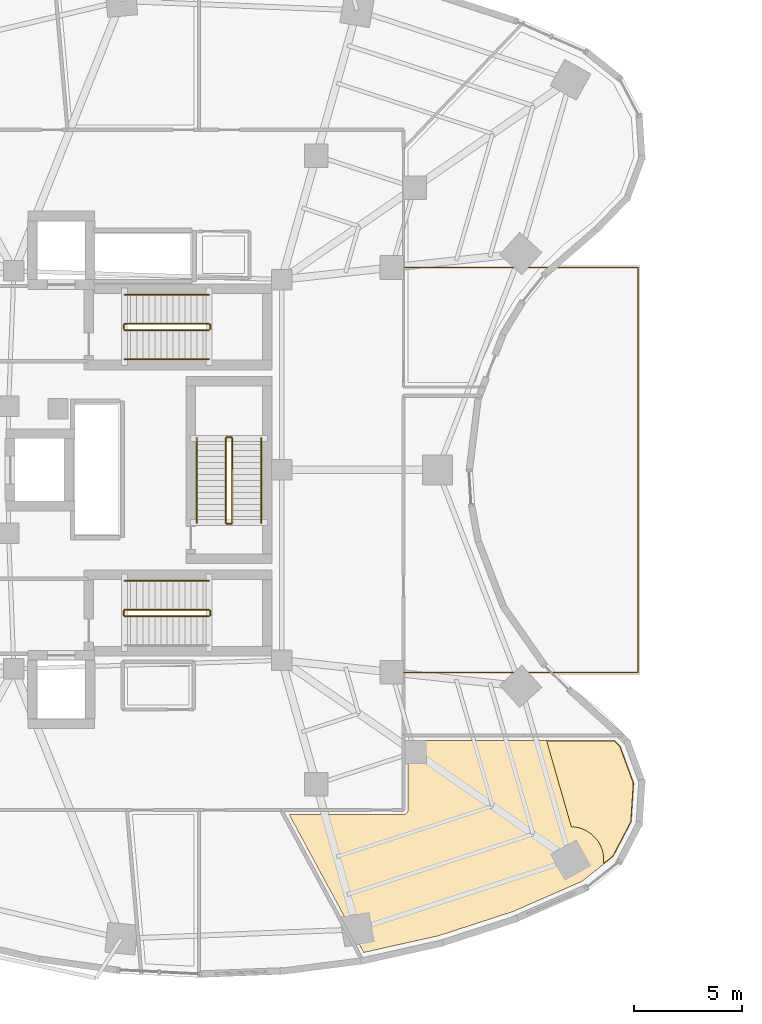
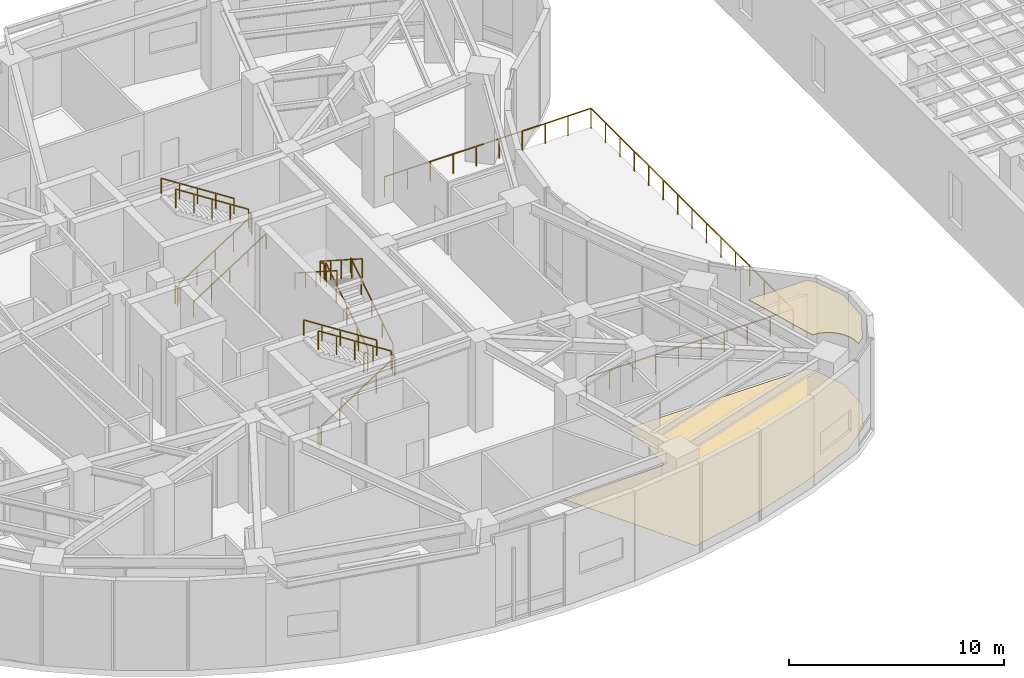
# One storey, part 18 of 19: 18 railings, 2 coverings.
"""IFC4 building model written with IfcOpenShell, lengths in metres."""

from ifc_helpers import new_model, si_unit, direction, frame, origin, origin_2d, place, context, subcontext, project, spatial, polyline, rectangle, outline, extrude, material, layer, layer_set, type_object, element, save


model = new_model("IFC4")

# Units and contexts
model_context = context("Model", 3, precision=1e-05, world=origin(), true_north=direction((0.0, 1.0)))
body_context = subcontext(model_context, "Body", "Model", "MODEL_VIEW")
ifc_project = project(units=[si_unit("LENGTHUNIT", "METRE"), si_unit("AREAUNIT", "SQUARE_METRE"), si_unit("VOLUMEUNIT", "CUBIC_METRE"), si_unit("PLANEANGLEUNIT", "RADIAN"), si_unit("MASSUNIT", "GRAM", prefix="KILO")], contexts=[model_context])

# Site, building, storey
site_placement = place(None, origin())
site = spatial("IfcSite", under=ifc_project, at=site_placement, CompositionType="ELEMENT")
building_placement = place(site_placement, origin())
building = spatial("IfcBuilding", under=site, at=building_placement, Name="Korentha Bioscience Tower", CompositionType="ELEMENT")
storey_placement = place(building_placement, frame((0.0, 0.0, 20.39990234375)))
storey = spatial("IfcBuildingStorey", under=building, at=storey_placement, Name="L04", CompositionType="ELEMENT", Elevation=20.39990234375)

# Railings
ifc_material_1 = material(Name="Stainless Steel 304", Category="steel")
railing_type_1 = type_object("IfcRailingType", Name="Brushed Stainless Stair Handrail 900", PredefinedType="HANDRAIL", material=ifc_material_1)
railing_1_placement = place(storey_placement, frame((30.25, 32.14990234375, 0.18017578125)))
element("IfcRailing", 1, at=railing_1_placement, inside=storey, type_object=railing_type_1, Name="L04 ST-1 stair handrail 1", PredefinedType="HANDRAIL", context=body_context, shape_type="SweptSolid", body=[
    extrude(rectangle(XDim=0.048095703125, YDim=0.048095703125, at=origin_2d()), frame((0.0, 0.0, 0.8759765625), z_axis=(0.841171666519, 0.0, 0.540768182723), x_axis=(0.0, 1.0, 0.0)), (0.0, 0.0, 1.0), 4.66015625),
    extrude(rectangle(XDim=0.0419921875, YDim=0.0419921875, at=origin_2d()), origin(), (0.0, 0.0, 1.0), 0.851806640625),
    extrude(rectangle(XDim=0.0419921875, YDim=0.0419921875, at=origin_2d()), frame((0.97998046875, 0.0, 0.6298828125)), (0.0, 0.0, 1.0), 0.851806640625),
    extrude(rectangle(XDim=0.0419921875, YDim=0.0419921875, at=origin_2d()), frame((1.9599609375, 0.0, 1.260009765625)), (0.0, 0.0, 1.0), 0.851806640625),
    extrude(rectangle(XDim=0.0419921875, YDim=0.0419921875, at=origin_2d()), frame((2.93994140625, 0.0, 1.89013671875)), (0.0, 0.0, 1.0), 0.851806640625),
    extrude(rectangle(XDim=0.0419921875, YDim=0.0419921875, at=origin_2d()), frame((3.919921875, 0.0, 2.52001953125)), (0.0, 0.0, 1.0), 0.851806640625),
])
for number, where, name in (
    (2, (34.169921875, 35.14990234375, 2.880126953125), "L04 ST-1 stair handrail 2"),
    (3, (34.169921875, 21.85009765625, 2.880126953125), "L04 ST-2 stair handrail 2"),
):
    element("IfcRailing", number, at=place(storey_placement, frame(where)), inside=storey, type_object=railing_type_1, Name=name, PredefinedType="HANDRAIL", context=body_context, shape_type="SweptSolid", body=[
        extrude(rectangle(XDim=0.048095703125, YDim=0.048095703125, at=origin_2d()), frame((0.0, 0.0, 0.8759765625), z_axis=(-0.841171666519, 0.0, 0.540768182723), x_axis=(0.0, -1.0, 0.0)), (0.0, 0.0, 1.0), 4.66015625),
        extrude(rectangle(XDim=0.0419921875, YDim=0.0419921875, at=origin_2d()), origin(), (0.0, 0.0, 1.0), 0.851806640625),
        extrude(rectangle(XDim=0.0419921875, YDim=0.0419921875, at=origin_2d()), frame((-0.97998046875, 0.0, 0.6298828125)), (0.0, 0.0, 1.0), 0.851806640625),
        extrude(rectangle(XDim=0.0419921875, YDim=0.0419921875, at=origin_2d()), frame((-1.9599609375, 0.0, 1.260009765625)), (0.0, 0.0, 1.0), 0.851806640625),
        extrude(rectangle(XDim=0.0419921875, YDim=0.0419921875, at=origin_2d()), frame((-2.93994140625, 0.0, 1.89013671875)), (0.0, 0.0, 1.0), 0.851806640625),
        extrude(rectangle(XDim=0.0419921875, YDim=0.0419921875, at=origin_2d()), frame((-3.919921875, 0.0, 2.52001953125)), (0.0, 0.0, 1.0), 0.851806640625),
    ])
railing_2_placement = place(storey_placement, frame((36.60009765625, 24.550048828125, 0.18017578125)))
element("IfcRailing", 4, at=railing_2_placement, inside=storey, type_object=railing_type_1, Name="L04 ST-3 stair handrail 1", PredefinedType="HANDRAIL", context=body_context, shape_type="SweptSolid", body=[
    extrude(rectangle(XDim=0.048095703125, YDim=0.048095703125, at=origin_2d()), frame((0.0, 0.0, 0.8759765625), z_axis=(0.0, 0.841171666519, 0.540768182723), x_axis=(-1.0, 0.0, 0.0)), (0.0, 0.0, 1.0), 4.66015625),
    extrude(rectangle(XDim=0.0419921875, YDim=0.0419921875, at=origin_2d()), origin(), (0.0, 0.0, 1.0), 0.851806640625),
    extrude(rectangle(XDim=0.0419921875, YDim=0.0419921875, at=origin_2d()), frame((0.0, 0.97998046875, 0.6298828125)), (0.0, 0.0, 1.0), 0.851806640625),
    extrude(rectangle(XDim=0.0419921875, YDim=0.0419921875, at=origin_2d()), frame((0.0, 1.9599609375, 1.260009765625)), (0.0, 0.0, 1.0), 0.851806640625),
    extrude(rectangle(XDim=0.0419921875, YDim=0.0419921875, at=origin_2d()), frame((0.0, 2.93994140625, 1.89013671875)), (0.0, 0.0, 1.0), 0.851806640625),
    extrude(rectangle(XDim=0.0419921875, YDim=0.0419921875, at=origin_2d()), frame((0.0, 3.919921875, 2.52001953125)), (0.0, 0.0, 1.0), 0.851806640625),
])
railing_3_placement = place(storey_placement, frame((33.60009765625, 28.469970703125, 2.880126953125)))
element("IfcRailing", 5, at=railing_3_placement, inside=storey, type_object=railing_type_1, Name="L04 ST-3 stair handrail 2", PredefinedType="HANDRAIL", context=body_context, shape_type="SweptSolid", body=[
    extrude(rectangle(XDim=0.048095703125, YDim=0.048095703125, at=origin_2d()), frame((0.0, 0.0, 0.8759765625), z_axis=(0.0, -0.841171666519, 0.540768182723), x_axis=(1.0, 0.0, 0.0)), (0.0, 0.0, 1.0), 4.66015625),
    extrude(rectangle(XDim=0.0419921875, YDim=0.0419921875, at=origin_2d()), origin(), (0.0, 0.0, 1.0), 0.851806640625),
    extrude(rectangle(XDim=0.0419921875, YDim=0.0419921875, at=origin_2d()), frame((0.0, -0.97998046875, 0.6298828125)), (0.0, 0.0, 1.0), 0.851806640625),
    extrude(rectangle(XDim=0.0419921875, YDim=0.0419921875, at=origin_2d()), frame((0.0, -1.9599609375, 1.260009765625)), (0.0, 0.0, 1.0), 0.851806640625),
    extrude(rectangle(XDim=0.0419921875, YDim=0.0419921875, at=origin_2d()), frame((0.0, -2.93994140625, 1.89013671875)), (0.0, 0.0, 1.0), 0.851806640625),
    extrude(rectangle(XDim=0.0419921875, YDim=0.0419921875, at=origin_2d()), frame((0.0, -3.919921875, 2.52001953125)), (0.0, 0.0, 1.0), 0.851806640625),
])
ifc_material_2 = material(Name="Laminated Tempered Safety Glass", Category="glass")
railing_type_2 = type_object("IfcRailingType", Name="Laminated Glass Balcony Guardrail 1150", PredefinedType="BALUSTRADE", material=ifc_material_2)
railing_4_placement = place(storey_placement, frame((43.0, 17.580078125, 0.0)))
element("IfcRailing", 6, at=railing_4_placement, inside=storey, type_object=railing_type_2, Name="L04 Courtyard Terrace Perimeter Guardrail", PredefinedType="BALUSTRADE", context=body_context, shape_type="SweptSolid", body=[
    extrude(rectangle(XDim=0.048095703125, YDim=0.048095703125, at=origin_2d()), frame((0.0, 0.0, 1.1259765625), z_axis=(1.0, 0.0, 0.0), x_axis=(0.0, 1.0, 0.0)), (0.0, 0.0, 1.0), 11.1201171875),
    extrude(rectangle(XDim=0.048095703125, YDim=0.048095703125, at=origin_2d()), frame((11.1201171875, 0.0, 1.1259765625), z_axis=(0.0, 1.0, 0.0), x_axis=(-1.0, 0.0, 0.0)), (0.0, 0.0, 1.0), 18.83984375),
    extrude(rectangle(XDim=0.048095703125, YDim=0.048095703125, at=origin_2d()), frame((11.1201171875, 18.83984375, 1.1259765625), z_axis=(-1.0, 0.0, 0.0), x_axis=(0.0, -1.0, 0.0)), (0.0, 0.0, 1.0), 11.1201171875),
    extrude(rectangle(XDim=0.0419921875, YDim=0.0419921875, at=origin_2d()), origin(), (0.0, 0.0, 1.0), 1.101806640625),
    extrude(rectangle(XDim=0.0419921875, YDim=0.0419921875, at=origin_2d()), frame((1.235595703125, 0.0, 0.0)), (0.0, 0.0, 1.0), 1.101806640625),
    extrude(rectangle(XDim=0.0419921875, YDim=0.0419921875, at=origin_2d()), frame((2.47119140625, 0.0, 0.0)), (0.0, 0.0, 1.0), 1.101806640625),
    extrude(rectangle(XDim=0.0419921875, YDim=0.0419921875, at=origin_2d()), frame((3.706787109375, 0.0, 0.0)), (0.0, 0.0, 1.0), 1.101806640625),
    extrude(rectangle(XDim=0.0419921875, YDim=0.0419921875, at=origin_2d()), frame((4.9423828125, 0.0, 0.0)), (0.0, 0.0, 1.0), 1.101806640625),
    extrude(rectangle(XDim=0.0419921875, YDim=0.0419921875, at=origin_2d()), frame((6.177734375, 0.0, 0.0)), (0.0, 0.0, 1.0), 1.101806640625),
    extrude(rectangle(XDim=0.0419921875, YDim=0.0419921875, at=origin_2d()), frame((7.413330078125, 0.0, 0.0)), (0.0, 0.0, 1.0), 1.101806640625),
    extrude(rectangle(XDim=0.0419921875, YDim=0.0419921875, at=origin_2d()), frame((8.64892578125, 0.0, 0.0)), (0.0, 0.0, 1.0), 1.101806640625),
    extrude(rectangle(XDim=0.0419921875, YDim=0.0419921875, at=origin_2d()), frame((9.884521484375, 0.0, 0.0)), (0.0, 0.0, 1.0), 1.101806640625),
    extrude(rectangle(XDim=0.0419921875, YDim=0.0419921875, at=origin_2d()), frame((11.1201171875, 0.0, 0.0)), (0.0, 0.0, 1.0), 1.101806640625),
    extrude(rectangle(XDim=0.0419921875, YDim=0.0419921875, at=origin_2d()), frame((11.1201171875, 1.345703125, 0.0)), (0.0, 0.0, 1.0), 1.101806640625),
    extrude(rectangle(XDim=0.0419921875, YDim=0.0419921875, at=origin_2d()), frame((11.1201171875, 2.69140625, 0.0)), (0.0, 0.0, 1.0), 1.101806640625),
    extrude(rectangle(XDim=0.0419921875, YDim=0.0419921875, at=origin_2d()), frame((11.1201171875, 4.037109375, 0.0)), (0.0, 0.0, 1.0), 1.101806640625),
    extrude(rectangle(XDim=0.0419921875, YDim=0.0419921875, at=origin_2d()), frame((11.1201171875, 5.3828125, 0.0)), (0.0, 0.0, 1.0), 1.101806640625),
    extrude(rectangle(XDim=0.0419921875, YDim=0.0419921875, at=origin_2d()), frame((11.1201171875, 6.728515625, 0.0)), (0.0, 0.0, 1.0), 1.101806640625),
    extrude(rectangle(XDim=0.0419921875, YDim=0.0419921875, at=origin_2d()), frame((11.1201171875, 8.07421875, 0.0)), (0.0, 0.0, 1.0), 1.101806640625),
    extrude(rectangle(XDim=0.0419921875, YDim=0.0419921875, at=origin_2d()), frame((11.1201171875, 9.419921875, 0.0)), (0.0, 0.0, 1.0), 1.101806640625),
    extrude(rectangle(XDim=0.0419921875, YDim=0.0419921875, at=origin_2d()), frame((11.1201171875, 10.765625, 0.0)), (0.0, 0.0, 1.0), 1.101806640625),
    extrude(rectangle(XDim=0.0419921875, YDim=0.0419921875, at=origin_2d()), frame((11.1201171875, 12.111328125, 0.0)), (0.0, 0.0, 1.0), 1.101806640625),
    extrude(rectangle(XDim=0.0419921875, YDim=0.0419921875, at=origin_2d()), frame((11.1201171875, 13.45703125, 0.0)), (0.0, 0.0, 1.0), 1.101806640625),
    extrude(rectangle(XDim=0.0419921875, YDim=0.0419921875, at=origin_2d()), frame((11.1201171875, 14.802734375, 0.0)), (0.0, 0.0, 1.0), 1.101806640625),
    extrude(rectangle(XDim=0.0419921875, YDim=0.0419921875, at=origin_2d()), frame((11.1201171875, 16.1484375, 0.0)), (0.0, 0.0, 1.0), 1.101806640625),
    extrude(rectangle(XDim=0.0419921875, YDim=0.0419921875, at=origin_2d()), frame((11.1201171875, 17.494140625, 0.0)), (0.0, 0.0, 1.0), 1.101806640625),
    extrude(rectangle(XDim=0.0419921875, YDim=0.0419921875, at=origin_2d()), frame((11.1201171875, 18.83984375, 0.0)), (0.0, 0.0, 1.0), 1.101806640625),
    extrude(rectangle(XDim=0.0419921875, YDim=0.0419921875, at=origin_2d()), frame((9.884521484375, 18.83984375, 0.0)), (0.0, 0.0, 1.0), 1.101806640625),
    extrude(rectangle(XDim=0.0419921875, YDim=0.0419921875, at=origin_2d()), frame((8.64892578125, 18.83984375, 0.0)), (0.0, 0.0, 1.0), 1.101806640625),
    extrude(rectangle(XDim=0.0419921875, YDim=0.0419921875, at=origin_2d()), frame((7.413330078125, 18.83984375, 0.0)), (0.0, 0.0, 1.0), 1.101806640625),
    extrude(rectangle(XDim=0.0419921875, YDim=0.0419921875, at=origin_2d()), frame((6.177734375, 18.83984375, 0.0)), (0.0, 0.0, 1.0), 1.101806640625),
    extrude(rectangle(XDim=0.0419921875, YDim=0.0419921875, at=origin_2d()), frame((4.9423828125, 18.83984375, 0.0)), (0.0, 0.0, 1.0), 1.101806640625),
    extrude(rectangle(XDim=0.0419921875, YDim=0.0419921875, at=origin_2d()), frame((3.706787109375, 18.83984375, 0.0)), (0.0, 0.0, 1.0), 1.101806640625),
    extrude(rectangle(XDim=0.0419921875, YDim=0.0419921875, at=origin_2d()), frame((2.47119140625, 18.83984375, 0.0)), (0.0, 0.0, 1.0), 1.101806640625),
    extrude(rectangle(XDim=0.0419921875, YDim=0.0419921875, at=origin_2d()), frame((1.235595703125, 18.83984375, 0.0)), (0.0, 0.0, 1.0), 1.101806640625),
    extrude(rectangle(XDim=0.0419921875, YDim=0.0419921875, at=origin_2d()), frame((0.0, 18.83984375, 0.0)), (0.0, 0.0, 1.0), 1.101806640625),
])

# Covering
ifc_material_3 = material(Name="Antimicrobial Mineral Fibre Board", Category="gypsum")
ifc_layer_1 = layer(ifc_material_3, 0.034912109375, Name="Antimicrobial Mineral Fibre Board")
ifc_layer_set_1 = layer_set([ifc_layer_1], Name="Antimicrobial Mineral Fibre Board (CL-MF35)")
covering_type_1 = type_object("IfcCoveringType", Name="Mineral-Fibre Cleanroom Suspended Ceiling 35", PredefinedType="CEILING", material=ifc_layer_set_1)
covering_1_placement = place(storey_placement, frame((0.0, 0.0, 5.065185546875)))
element("IfcCovering", 7, at=covering_1_placement, inside=storey, type_object=covering_type_1, Name="L04 Translational Symposium Lecture Room 05 Acoustic Ceiling", PredefinedType="CEILING", context=body_context, shape_type="SweptSolid", body=[
    extrude(outline(polyline([(53.271484375, 14.128173828125), (53.89208984375, 12.439453125), (53.77587890625, 10.643798828125), (52.94287109375, 9.04931640625), (52.52001953125, 8.71240234375), (52.52001953125, 9.0166015625), (52.460693359375, 9.314453125), (52.344482421875, 9.59521484375), (52.175537109375, 9.847900390625), (51.960693359375, 10.062744140625), (51.7080078125, 10.231689453125), (51.42724609375, 10.347900390625), (51.27978515625, 10.384765625), (51.010986328125, 10.4130859375), (49.86865234375, 14.396484375), (53.010498046875, 14.39794921875), (53.271484375, 14.128173828125)])), origin(), (0.0, 0.0, 1.0), 0.034912109375),
])

# Railings
ifc_material_4 = material(Name="Painted Steel S275", Category="steel")
railing_type_3 = type_object("IfcRailingType", Name="Painted Steel Stair Well Guardrail 1100", PredefinedType="GUARDRAIL", material=ifc_material_4)
railing_5_placement = place(storey_placement, frame((30.25, 33.5, 0.18017578125)))
element("IfcRailing", 8, at=railing_5_placement, inside=storey, type_object=railing_type_3, Name="L04 ST-1 stair guard 1", PredefinedType="GUARDRAIL", context=body_context, shape_type="SweptSolid", body=[
    extrude(rectangle(XDim=0.048095703125, YDim=0.048095703125, at=origin_2d()), frame((0.0, 0.0, 1.076171875), z_axis=(0.841171666519, 0.0, 0.540768182723), x_axis=(0.0, 1.0, 0.0)), (0.0, 0.0, 1.0), 4.66015625),
    extrude(rectangle(XDim=0.0419921875, YDim=0.0419921875, at=origin_2d()), origin(), (0.0, 0.0, 1.0), 1.052001953125),
    extrude(rectangle(XDim=0.0419921875, YDim=0.0419921875, at=origin_2d()), frame((0.97998046875, 0.0, 0.6298828125)), (0.0, 0.0, 1.0), 1.052001953125),
    extrude(rectangle(XDim=0.0419921875, YDim=0.0419921875, at=origin_2d()), frame((1.9599609375, 0.0, 1.260009765625)), (0.0, 0.0, 1.0), 1.052001953125),
    extrude(rectangle(XDim=0.0419921875, YDim=0.0419921875, at=origin_2d()), frame((2.93994140625, 0.0, 1.89013671875)), (0.0, 0.0, 1.0), 1.052001953125),
    extrude(rectangle(XDim=0.0419921875, YDim=0.0419921875, at=origin_2d()), frame((3.919921875, 0.0, 2.52001953125)), (0.0, 0.0, 1.0), 1.052001953125),
])
railing_6_placement = place(storey_placement, frame((34.219970703125, 33.550048828125, 2.7001953125)))
element("IfcRailing", 9, at=railing_6_placement, inside=storey, type_object=railing_type_3, Name="L04 ST-1 stair guard 2", PredefinedType="GUARDRAIL", context=body_context, shape_type="SweptSolid", body=[
    extrude(rectangle(XDim=0.048095703125, YDim=0.048095703125, at=origin_2d()), frame((0.0, 0.0, 1.076171875), z_axis=(0.0, 1.0, 0.0), x_axis=(-1.0, 0.0, 0.0)), (0.0, 0.0, 1.0), 0.199951171875),
    extrude(rectangle(XDim=0.0419921875, YDim=0.0419921875, at=origin_2d()), origin(), (0.0, 0.0, 1.0), 1.052001953125),
    extrude(rectangle(XDim=0.0419921875, YDim=0.0419921875, at=origin_2d()), frame((0.0, 0.199951171875, 0.0)), (0.0, 0.0, 1.0), 1.052001953125),
])
railing_7_placement = place(storey_placement, frame((34.169921875, 33.800048828125, 2.880126953125)))
element("IfcRailing", 10, at=railing_7_placement, inside=storey, type_object=railing_type_3, Name="L04 ST-1 stair guard 3", PredefinedType="GUARDRAIL", context=body_context, shape_type="SweptSolid", body=[
    extrude(rectangle(XDim=0.048095703125, YDim=0.048095703125, at=origin_2d()), frame((0.0, 0.0, 1.076171875), z_axis=(-0.841171666519, 0.0, 0.540768182723), x_axis=(0.0, -1.0, 0.0)), (0.0, 0.0, 1.0), 4.66015625),
    extrude(rectangle(XDim=0.0419921875, YDim=0.0419921875, at=origin_2d()), origin(), (0.0, 0.0, 1.0), 1.052001953125),
    extrude(rectangle(XDim=0.0419921875, YDim=0.0419921875, at=origin_2d()), frame((-0.97998046875, 0.0, 0.6298828125)), (0.0, 0.0, 1.0), 1.052001953125),
    extrude(rectangle(XDim=0.0419921875, YDim=0.0419921875, at=origin_2d()), frame((-1.9599609375, 0.0, 1.260009765625)), (0.0, 0.0, 1.0), 1.052001953125),
    extrude(rectangle(XDim=0.0419921875, YDim=0.0419921875, at=origin_2d()), frame((-2.93994140625, 0.0, 1.89013671875)), (0.0, 0.0, 1.0), 1.052001953125),
    extrude(rectangle(XDim=0.0419921875, YDim=0.0419921875, at=origin_2d()), frame((-3.919921875, 0.0, 2.52001953125)), (0.0, 0.0, 1.0), 1.052001953125),
])
railing_8_placement = place(storey_placement, frame((30.199951171875, 33.550048828125, 0.0)))
element("IfcRailing", 11, at=railing_8_placement, inside=storey, type_object=railing_type_3, Name="L04 ST-1 stair guard 4", PredefinedType="GUARDRAIL", context=body_context, shape_type="SweptSolid", body=[
    extrude(rectangle(XDim=0.048095703125, YDim=0.048095703125, at=origin_2d()), frame((0.0, 0.0, 1.076171875), z_axis=(0.0, 1.0, 0.0), x_axis=(-1.0, 0.0, 0.0)), (0.0, 0.0, 1.0), 0.199951171875),
    extrude(rectangle(XDim=0.0419921875, YDim=0.0419921875, at=origin_2d()), origin(), (0.0, 0.0, 1.0), 1.052001953125),
    extrude(rectangle(XDim=0.0419921875, YDim=0.0419921875, at=origin_2d()), frame((0.0, 0.199951171875, 0.0)), (0.0, 0.0, 1.0), 1.052001953125),
])
railing_9_placement = place(storey_placement, frame((30.25, 20.199951171875, 0.18017578125)))
element("IfcRailing", 12, at=railing_9_placement, inside=storey, type_object=railing_type_3, Name="L04 ST-2 stair guard 1", PredefinedType="GUARDRAIL", context=body_context, shape_type="SweptSolid", body=[
    extrude(rectangle(XDim=0.048095703125, YDim=0.048095703125, at=origin_2d()), frame((0.0, 0.0, 1.076171875), z_axis=(0.841171666519, 0.0, 0.540768182723), x_axis=(0.0, 1.0, 0.0)), (0.0, 0.0, 1.0), 4.66015625),
    extrude(rectangle(XDim=0.0419921875, YDim=0.0419921875, at=origin_2d()), origin(), (0.0, 0.0, 1.0), 1.052001953125),
    extrude(rectangle(XDim=0.0419921875, YDim=0.0419921875, at=origin_2d()), frame((0.97998046875, 0.0, 0.6298828125)), (0.0, 0.0, 1.0), 1.052001953125),
    extrude(rectangle(XDim=0.0419921875, YDim=0.0419921875, at=origin_2d()), frame((1.9599609375, 0.0, 1.260009765625)), (0.0, 0.0, 1.0), 1.052001953125),
    extrude(rectangle(XDim=0.0419921875, YDim=0.0419921875, at=origin_2d()), frame((2.93994140625, 0.0, 1.89013671875)), (0.0, 0.0, 1.0), 1.052001953125),
    extrude(rectangle(XDim=0.0419921875, YDim=0.0419921875, at=origin_2d()), frame((3.919921875, 0.0, 2.52001953125)), (0.0, 0.0, 1.0), 1.052001953125),
])
railing_10_placement = place(storey_placement, frame((34.219970703125, 20.25, 2.7001953125)))
element("IfcRailing", 13, at=railing_10_placement, inside=storey, type_object=railing_type_3, Name="L04 ST-2 stair guard 2", PredefinedType="GUARDRAIL", context=body_context, shape_type="SweptSolid", body=[
    extrude(rectangle(XDim=0.048095703125, YDim=0.048095703125, at=origin_2d()), frame((0.0, 0.0, 1.076171875), z_axis=(0.0, 1.0, 0.0), x_axis=(-1.0, 0.0, 0.0)), (0.0, 0.0, 1.0), 0.199951171875),
    extrude(rectangle(XDim=0.0419921875, YDim=0.0419921875, at=origin_2d()), origin(), (0.0, 0.0, 1.0), 1.052001953125),
    extrude(rectangle(XDim=0.0419921875, YDim=0.0419921875, at=origin_2d()), frame((0.0, 0.199951171875, 0.0)), (0.0, 0.0, 1.0), 1.052001953125),
])
railing_11_placement = place(storey_placement, frame((34.169921875, 20.5, 2.880126953125)))
element("IfcRailing", 14, at=railing_11_placement, inside=storey, type_object=railing_type_3, Name="L04 ST-2 stair guard 3", PredefinedType="GUARDRAIL", context=body_context, shape_type="SweptSolid", body=[
    extrude(rectangle(XDim=0.048095703125, YDim=0.048095703125, at=origin_2d()), frame((0.0, 0.0, 1.076171875), z_axis=(-0.841171666519, 0.0, 0.540768182723), x_axis=(0.0, -1.0, 0.0)), (0.0, 0.0, 1.0), 4.66015625),
    extrude(rectangle(XDim=0.0419921875, YDim=0.0419921875, at=origin_2d()), origin(), (0.0, 0.0, 1.0), 1.052001953125),
    extrude(rectangle(XDim=0.0419921875, YDim=0.0419921875, at=origin_2d()), frame((-0.97998046875, 0.0, 0.6298828125)), (0.0, 0.0, 1.0), 1.052001953125),
    extrude(rectangle(XDim=0.0419921875, YDim=0.0419921875, at=origin_2d()), frame((-1.9599609375, 0.0, 1.260009765625)), (0.0, 0.0, 1.0), 1.052001953125),
    extrude(rectangle(XDim=0.0419921875, YDim=0.0419921875, at=origin_2d()), frame((-2.93994140625, 0.0, 1.89013671875)), (0.0, 0.0, 1.0), 1.052001953125),
    extrude(rectangle(XDim=0.0419921875, YDim=0.0419921875, at=origin_2d()), frame((-3.919921875, 0.0, 2.52001953125)), (0.0, 0.0, 1.0), 1.052001953125),
])
railing_12_placement = place(storey_placement, frame((30.199951171875, 20.25, 0.0)))
element("IfcRailing", 15, at=railing_12_placement, inside=storey, type_object=railing_type_3, Name="L04 ST-2 stair guard 4", PredefinedType="GUARDRAIL", context=body_context, shape_type="SweptSolid", body=[
    extrude(rectangle(XDim=0.048095703125, YDim=0.048095703125, at=origin_2d()), frame((0.0, 0.0, 1.076171875), z_axis=(0.0, 1.0, 0.0), x_axis=(-1.0, 0.0, 0.0)), (0.0, 0.0, 1.0), 0.199951171875),
    extrude(rectangle(XDim=0.0419921875, YDim=0.0419921875, at=origin_2d()), origin(), (0.0, 0.0, 1.0), 1.052001953125),
    extrude(rectangle(XDim=0.0419921875, YDim=0.0419921875, at=origin_2d()), frame((0.0, 0.199951171875, 0.0)), (0.0, 0.0, 1.0), 1.052001953125),
])
railing_13_placement = place(storey_placement, frame((35.25, 24.550048828125, 0.18017578125)))
element("IfcRailing", 16, at=railing_13_placement, inside=storey, type_object=railing_type_3, Name="L04 ST-3 stair guard 1", PredefinedType="GUARDRAIL", context=body_context, shape_type="SweptSolid", body=[
    extrude(rectangle(XDim=0.048095703125, YDim=0.048095703125, at=origin_2d()), frame((0.0, 0.0, 1.076171875), z_axis=(0.0, 0.841171666519, 0.540768182723), x_axis=(-1.0, 0.0, 0.0)), (0.0, 0.0, 1.0), 4.66015625),
    extrude(rectangle(XDim=0.0419921875, YDim=0.0419921875, at=origin_2d()), origin(), (0.0, 0.0, 1.0), 1.052001953125),
    extrude(rectangle(XDim=0.0419921875, YDim=0.0419921875, at=origin_2d()), frame((0.0, 0.97998046875, 0.6298828125)), (0.0, 0.0, 1.0), 1.052001953125),
    extrude(rectangle(XDim=0.0419921875, YDim=0.0419921875, at=origin_2d()), frame((0.0, 1.9599609375, 1.260009765625)), (0.0, 0.0, 1.0), 1.052001953125),
    extrude(rectangle(XDim=0.0419921875, YDim=0.0419921875, at=origin_2d()), frame((0.0, 2.93994140625, 1.89013671875)), (0.0, 0.0, 1.0), 1.052001953125),
    extrude(rectangle(XDim=0.0419921875, YDim=0.0419921875, at=origin_2d()), frame((0.0, 3.919921875, 2.52001953125)), (0.0, 0.0, 1.0), 1.052001953125),
])
railing_14_placement = place(storey_placement, frame((35.199951171875, 28.52001953125, 2.7001953125)))
element("IfcRailing", 17, at=railing_14_placement, inside=storey, type_object=railing_type_3, Name="L04 ST-3 stair guard 2", PredefinedType="GUARDRAIL", context=body_context, shape_type="SweptSolid", body=[
    extrude(rectangle(XDim=0.048095703125, YDim=0.048095703125, at=origin_2d()), frame((0.0, 0.0, 1.076171875), z_axis=(-1.0, 0.0, 0.0), x_axis=(0.0, -1.0, 0.0)), (0.0, 0.0, 1.0), 0.199951171875),
    extrude(rectangle(XDim=0.0419921875, YDim=0.0419921875, at=origin_2d()), origin(), (0.0, 0.0, 1.0), 1.052001953125),
    extrude(rectangle(XDim=0.0419921875, YDim=0.0419921875, at=origin_2d()), frame((-0.199951171875, 0.0, 0.0)), (0.0, 0.0, 1.0), 1.052001953125),
])
railing_15_placement = place(storey_placement, frame((34.949951171875, 28.469970703125, 2.880126953125)))
element("IfcRailing", 18, at=railing_15_placement, inside=storey, type_object=railing_type_3, Name="L04 ST-3 stair guard 3", PredefinedType="GUARDRAIL", context=body_context, shape_type="SweptSolid", body=[
    extrude(rectangle(XDim=0.048095703125, YDim=0.048095703125, at=origin_2d()), frame((0.0, 0.0, 1.076171875), z_axis=(0.0, -0.841171666519, 0.540768182723), x_axis=(1.0, 0.0, 0.0)), (0.0, 0.0, 1.0), 4.66015625),
    extrude(rectangle(XDim=0.0419921875, YDim=0.0419921875, at=origin_2d()), origin(), (0.0, 0.0, 1.0), 1.052001953125),
    extrude(rectangle(XDim=0.0419921875, YDim=0.0419921875, at=origin_2d()), frame((0.0, -0.97998046875, 0.6298828125)), (0.0, 0.0, 1.0), 1.052001953125),
    extrude(rectangle(XDim=0.0419921875, YDim=0.0419921875, at=origin_2d()), frame((0.0, -1.9599609375, 1.260009765625)), (0.0, 0.0, 1.0), 1.052001953125),
    extrude(rectangle(XDim=0.0419921875, YDim=0.0419921875, at=origin_2d()), frame((0.0, -2.93994140625, 1.89013671875)), (0.0, 0.0, 1.0), 1.052001953125),
    extrude(rectangle(XDim=0.0419921875, YDim=0.0419921875, at=origin_2d()), frame((0.0, -3.919921875, 2.52001953125)), (0.0, 0.0, 1.0), 1.052001953125),
])
railing_16_placement = place(storey_placement, frame((35.199951171875, 24.5, 0.0)))
element("IfcRailing", 19, at=railing_16_placement, inside=storey, type_object=railing_type_3, Name="L04 ST-3 stair guard 4", PredefinedType="GUARDRAIL", context=body_context, shape_type="SweptSolid", body=[
    extrude(rectangle(XDim=0.048095703125, YDim=0.048095703125, at=origin_2d()), frame((0.0, 0.0, 1.076171875), z_axis=(-1.0, 0.0, 0.0), x_axis=(0.0, -1.0, 0.0)), (0.0, 0.0, 1.0), 0.199951171875),
    extrude(rectangle(XDim=0.0419921875, YDim=0.0419921875, at=origin_2d()), origin(), (0.0, 0.0, 1.0), 1.052001953125),
    extrude(rectangle(XDim=0.0419921875, YDim=0.0419921875, at=origin_2d()), frame((-0.199951171875, 0.0, 0.0)), (0.0, 0.0, 1.0), 1.052001953125),
])

# Covering
ifc_material_5 = material(Name="Chemical-Resistant Epoxy Resin", Category="polymer")
ifc_layer_2 = layer(ifc_material_5, 0.011962890625, Name="Chemical-Resistant Epoxy Resin")
ifc_layer_set_2 = layer_set([ifc_layer_2], Name="Chemical-Resistant Epoxy Resin (FL-EPX)")
covering_type_2 = type_object("IfcCoveringType", Name="Seamless Epoxy Laboratory Flooring 12", PredefinedType="FLOORING", material=ifc_layer_set_2)
covering_2_placement = place(storey_placement, origin())
element("IfcCovering", 20, at=covering_2_placement, inside=storey, type_object=covering_type_2, Name="L04 Translational Symposium Lecture Room 05 Floor Finish", PredefinedType="FLOORING", context=body_context, shape_type="SweptSolid", body=[
    extrude(outline(polyline([(37.900146484375, 10.969970703125), (43.199951171875, 10.969970703125), (43.318603515625, 11.0029296875), (43.3974609375, 11.082275390625), (43.4296875, 11.189208984375), (43.429931640625, 14.427978515625), (53.023193359375, 14.427978515625), (53.29736328125, 14.14453125), (53.922607421875, 12.44384765625), (53.805419921875, 10.635498046875), (52.966552734375, 9.02978515625), (51.5166015625, 7.875244140625), (48.310302734375, 6.470458984375), (44.857421875, 5.34716796875), (41.36328125, 4.565185546875), (37.900146484375, 10.969970703125)])), origin(), (0.0, 0.0, 1.0), 0.01220703125),
])

save(model, "model.ifc")
